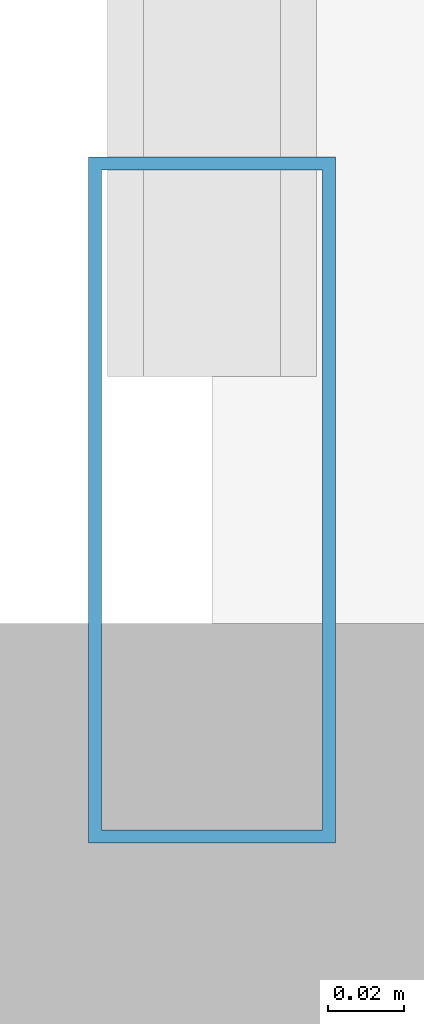
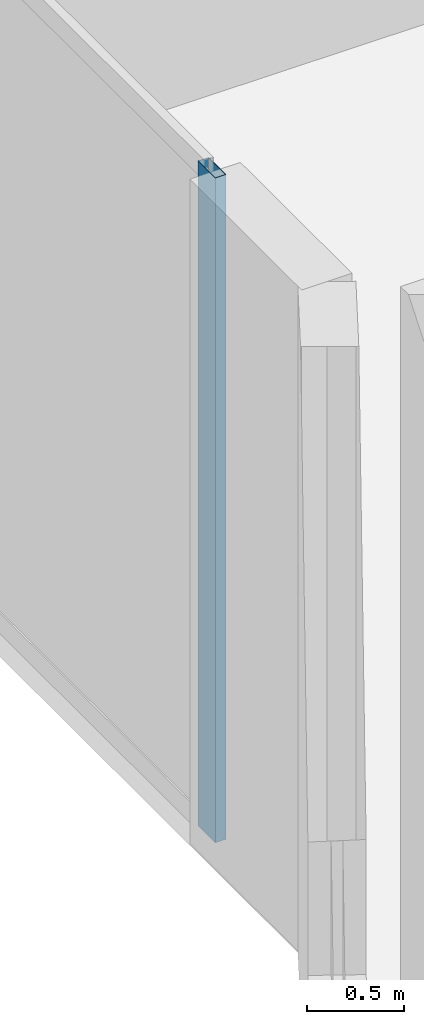
# One storey, part 6 of 24: 1 member, 1 element without a shape of its own.
"""IFC4 building model written with IfcOpenShell, lengths in metres."""

from ifc_helpers import new_model, si_unit, direction, frame, origin, origin_2d, place, context, subcontext, project, spatial, hollow_rectangle, extrude, material, layer, layer_set, material_profile, profile_set, type_object, element, aggregate, save


model = new_model("IFC4")

# Units and contexts
model_context = context("Model", 3, precision=1e-05, world=origin(), true_north=direction((0.0, 1.0)))
body_context = subcontext(model_context, "Body", "Model", "MODEL_VIEW")
ifc_project = project(units=[si_unit("LENGTHUNIT", "METRE"), si_unit("AREAUNIT", "SQUARE_METRE"), si_unit("VOLUMEUNIT", "CUBIC_METRE"), si_unit("PLANEANGLEUNIT", "RADIAN"), si_unit("MASSUNIT", "GRAM", prefix="KILO")], contexts=[model_context])

# Site, building, storey
site_placement = place(None, origin())
site = spatial("IfcSite", under=ifc_project, at=site_placement, CompositionType="ELEMENT")
building_placement = place(site_placement, origin())
building = spatial("IfcBuilding", under=site, at=building_placement, Name="Zuhayl Quay Hotel", CompositionType="ELEMENT")
storey_placement = place(building_placement, frame((0.0, 0.0, 284.050048828125)))
storey = spatial("IfcBuildingStorey", under=building, at=storey_placement, Name="L72", CompositionType="ELEMENT", Elevation=284.050048828125)

# Curtain wall, member
ifc_material_1 = material(Name="Anodised Aluminium 6063-T6", Category="aluminium")
ifc_layer = layer(ifc_material_1, 0.169921875, Name="Anodised Aluminium 6063-T6", Category="aluminium")
ifc_layer_set = layer_set([ifc_layer], Name="Anodised Aluminium 6063-T6")
curtain_wall_type = type_object("IfcCurtainWallType", Name="CW_SYS_Z4", PredefinedType="USERDEFINED", material=ifc_layer_set)
curtain_wall_placement = place(storey_placement, origin())
curtain_wall = element("IfcCurtainWall", 1, at=curtain_wall_placement, inside=storey, type_object=curtain_wall_type, Name="L72 Curtain Wall ENV_L72_E05_CW1", ObjectType="UNITISED CURTAIN WALL", PredefinedType="USERDEFINED")
ifc_material_2 = material(Name="Black-anodised aluminium 6063-T6", Category="aluminium")
ifc_material_profile = material_profile(ifc_material_2, hollow_rectangle(XDim=0.06494140625, YDim=0.179931640625, WallThickness=0.00341796875, at=origin_2d()), Name="ALU180X65")
ifc_profile_set = profile_set([ifc_material_profile], Name="Black-anodised aluminium 6063-T6")
member_type = type_object("IfcMemberType", Name="MB_CW_MUL_180", PredefinedType="MULLION", material=ifc_profile_set)
member_placement = place(storey_placement, frame((-20.199951171875, 25.282470703125, 0.0), z_axis=(0.0, 0.0, 1.0), x_axis=(-1.0, 0.0, 0.0)))
member = element("IfcMember", 2, at=member_placement, type_object=member_type, Name="CW-Z4 mullion 1", PredefinedType="MULLION", context=body_context, shape_type="SweptSolid", body=[
    extrude(hollow_rectangle(XDim=0.06494140625, YDim=0.179931640625, WallThickness=0.00341796875, at=origin_2d()), origin(), (0.0, 0.0, 1.0), 4.179931640625),
])
aggregate(curtain_wall, [member])

save(model, "model.ifc")
